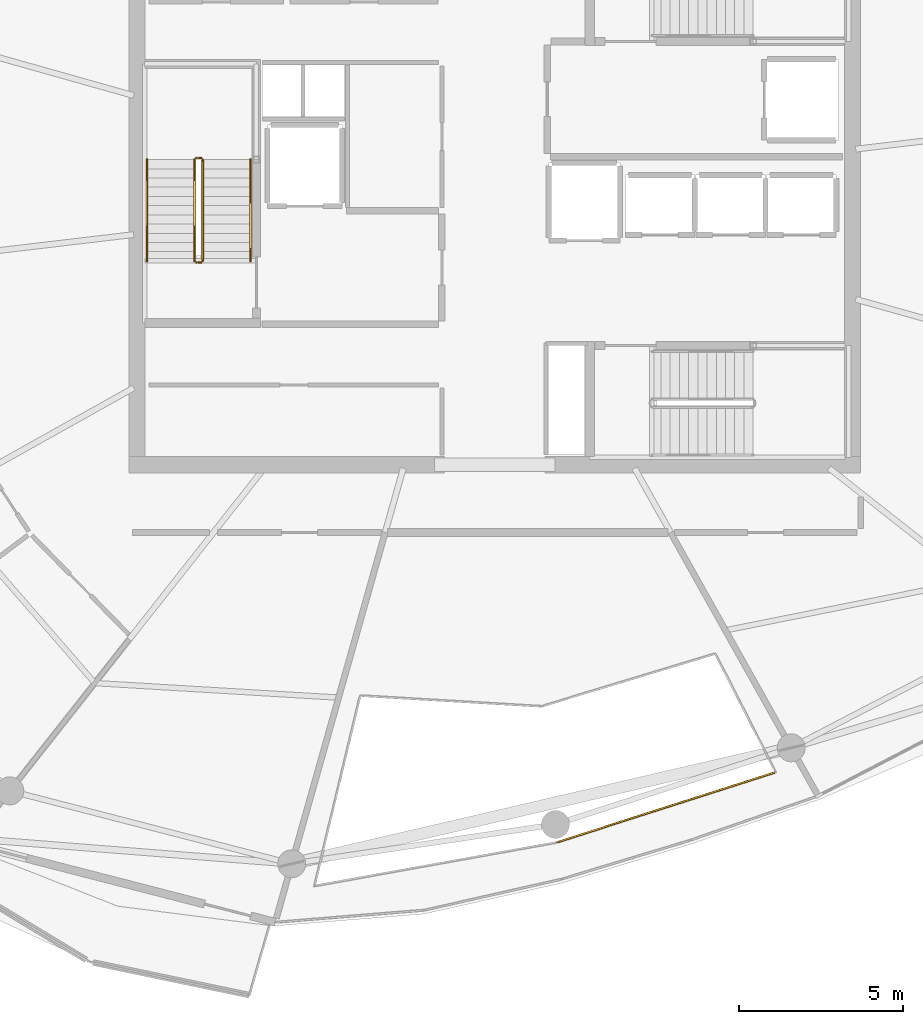
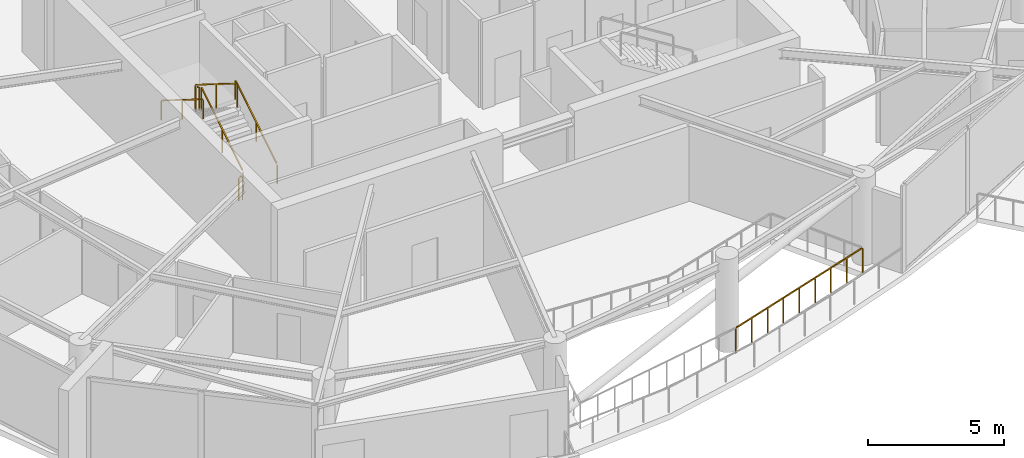
# One storey, part 19 of 22: 7 railings.
"""IFC4 building model written with IfcOpenShell, lengths in metres."""

import ifcopenshell
import ifcopenshell.guid

model = None  # the IFC model being written
_history = None  # IfcOwnerHistory: only IFC2X3 demands one
_inside = {}  # id of a spatial element -> (the spatial element, [elements in it])
_under = {}  # id of a project, library or spatial element -> (it, [spatial elements below it])
_declared = {}  # id of a project -> (the project, [libraries it declares])
_typed = {}  # id of a type object -> (the type object, [elements of that type])
_made_of = {}  # id of a material, layer set ... -> (it, [elements and type objects made of it])


def new_model(schema):
    """Start an empty IFC model of exactly this schema.

    Asked for "IFC4X3", IfcOpenShell would pick the latest addendum, in which some entities
    have other attributes; the version numbers below select the first issue.
    IFC2X3 requires an IfcOwnerHistory on every rooted entity: one is made here for all.
    """
    global model, _history
    if schema == "IFC4X3":
        model = ifcopenshell.file(schema_version=(4, 3, 0, 0))
    else:
        model = ifcopenshell.file(schema=schema)
    _inside.clear()
    _under.clear()
    _declared.clear()
    _typed.clear()
    _made_of.clear()
    _history = None
    if model.schema == "IFC2X3":
        org = make("IfcOrganization", Name="unknown")
        user = make(
            "IfcPersonAndOrganization",
            ThePerson=make("IfcPerson", FamilyName="unknown"),
            TheOrganization=org,
        )
        app = make(
            "IfcApplication",
            ApplicationDeveloper=org,
            Version="unknown",
            ApplicationFullName="unknown",
            ApplicationIdentifier="unknown",
        )
        _history = make(
            "IfcOwnerHistory",
            OwningUser=user,
            OwningApplication=app,
            ChangeAction="ADDED",
            CreationDate=0,
        )
    return model


def make(cls, **values):
    """One entity of the class cls with the attributes given. An attribute that is None is left unset."""
    return model.create_entity(
        cls, **{name: value for name, value in values.items() if value is not None}
    )


def rooted(cls, **values):
    """An entity with a GlobalId (a new one), such as an element, a storey or a relation."""
    return make(cls, GlobalId=ifcopenshell.guid.new(), OwnerHistory=_history, **values)


def si_unit(unit_type, name, prefix=None):
    """IfcSIUnit, for example si_unit("LENGTHUNIT", "METRE", prefix="MILLI")."""
    return make("IfcSIUnit", UnitType=unit_type, Prefix=prefix, Name=name)


def assignment(units):
    """IfcUnitAssignment: the units of a project."""
    return None if units is None else make("IfcUnitAssignment", Units=units)


def point(xyz):
    """IfcCartesianPoint."""
    return None if xyz is None else make("IfcCartesianPoint", Coordinates=xyz)


def direction(xyz):
    """IfcDirection."""
    return None if xyz is None else make("IfcDirection", DirectionRatios=xyz)


def frame(location, z_axis=None, x_axis=None):
    """IfcAxis2Placement3D, a coordinate frame: its origin and axes. An axis left out is left unset."""
    return make(
        "IfcAxis2Placement3D",
        Location=point(location),
        Axis=direction(z_axis),
        RefDirection=direction(x_axis),
    )


def frame_2d(location, x_axis=None):
    """IfcAxis2Placement2D, a coordinate frame in the plane: its origin and x axis."""
    return make(
        "IfcAxis2Placement2D", Location=point(location), RefDirection=direction(x_axis)
    )


def origin():
    """The frame at (0, 0, 0) with its axes left unset."""
    return frame((0.0, 0.0, 0.0))


def origin_2d():
    """The frame at (0, 0) in the plane with its x axis left unset."""
    return frame_2d((0.0, 0.0))


def place(relative_to, where):
    """IfcLocalPlacement: puts the frame where relative to a parent placement (None: the world)."""
    return make(
        "IfcLocalPlacement", PlacementRelTo=relative_to, RelativePlacement=where
    )


def context(
    kind, dimensions, precision=None, world=None, true_north=None, identifier=None
):
    """IfcGeometricRepresentationContext, for example the 3D "Model" context."""
    return make(
        "IfcGeometricRepresentationContext",
        ContextIdentifier=identifier,
        ContextType=kind,
        CoordinateSpaceDimension=dimensions,
        Precision=precision,
        WorldCoordinateSystem=world,
        TrueNorth=true_north,
    )


def subcontext(parent, identifier, kind, view, scale=None):
    """IfcGeometricRepresentationSubContext, for example "Body" below "Model"."""
    return make(
        "IfcGeometricRepresentationSubContext",
        ContextIdentifier=identifier,
        ContextType=kind,
        ParentContext=parent,
        TargetScale=scale,
        TargetView=view,
    )


def project(units=None, contexts=None):
    """IfcProject with its units and contexts."""
    return rooted(
        "IfcProject",
        Name="project",
        RepresentationContexts=contexts,
        UnitsInContext=assignment(units),
    )


def spatial(cls, under=None, at=None, **own):
    """A site, building, storey or space (cls), placed at a placement, below another one or the project."""
    s = rooted(cls, ObjectPlacement=at, **own)
    if under is not None:
        _under.setdefault(under.id(), (under, []))[1].append(s)
    return s


def profile(cls, at=None, kind="AREA", **sizes):
    """A parametric profile (cls). Its sizes go by their IFC names, for example OverallWidth=200.0."""
    return make(cls, ProfileType=kind, Position=at, **sizes)


def rectangle(**sizes):
    """IfcRectangleProfileDef."""
    return profile("IfcRectangleProfileDef", **sizes)


def extrude(swept, where, along, depth):
    """IfcExtrudedAreaSolid: the profile swept, set in the frame where, extruded along a direction by depth."""
    return make(
        "IfcExtrudedAreaSolid",
        SweptArea=swept,
        Position=where,
        ExtrudedDirection=direction(along),
        Depth=depth,
    )


def shape(context_of_items, identifier, shape_type, items):
    """IfcShapeRepresentation: the items that make up one representation, for example the "Body"."""
    return make(
        "IfcShapeRepresentation",
        ContextOfItems=context_of_items,
        RepresentationIdentifier=identifier,
        RepresentationType=shape_type,
        Items=items,
    )


def material(Name=None, Category=None):
    """IfcMaterial."""
    return make("IfcMaterial", Name=Name, Category=Category)


def made_of(thing, what):
    """Note that an element or type object is made of a material, layer set ...; save() writes the relation."""
    if what is not None:
        _made_of.setdefault(what.id(), (what, []))[1].append(thing)
    return thing


def type_object(cls, material=None, **own):
    """A type object (cls), such as IfcWallType, which elements share."""
    return made_of(rooted(cls, **own), material)


def element(
    cls,
    number,
    at=None,
    inside=None,
    cuts=None,
    type_object=None,
    material=None,
    context=None,
    identifier="Body",
    shape_type=None,
    held_by="IfcProductDefinitionShape",
    body=None,
    shapes=None,
    **own,
):
    """One element of the class cls, such as IfcWall. Its Tag is "e" and its number.

    at: its placement. inside: the storey or other place that contains it. cuts: it is an
    opening in that element (IfcRelVoidsElement). A single representation is given by context,
    identifier, shape_type and body (its items); several are given by shapes. held_by: the class
    of the entity that holds the representations. save() writes the other relations.
    """
    e = rooted(cls, Tag="e%d" % number, ObjectPlacement=at, **own)
    if body is not None:
        shapes = [shape(context, identifier, shape_type, body)]
    if shapes is not None:
        e.Representation = make(held_by, Representations=shapes)
    if inside is not None:
        _inside.setdefault(inside.id(), (inside, []))[1].append(e)
    if cuts is not None:
        rooted(
            "IfcRelVoidsElement", RelatingBuildingElement=cuts, RelatedOpeningElement=e
        )
    if type_object is not None:
        _typed.setdefault(type_object.id(), (type_object, []))[1].append(e)
    return made_of(e, material)


def aggregate(whole, parts):
    """IfcRelAggregates: a whole, such as a stair, and the parts it consists of."""
    return rooted("IfcRelAggregates", RelatingObject=whole, RelatedObjects=parts)


def save(model, path):
    """Write the relations noted so far, then the file.

    IfcRelAggregates (storeys below a building ...), IfcRelContainedInSpatialStructure (elements
    in a storey), IfcRelDefinesByType, IfcRelAssociatesMaterial and IfcRelDeclares: one each for
    every whole, place, type object, material and project.
    """
    for whole, parts in _under.values():
        aggregate(whole, parts)
    for where, things in _inside.values():
        rooted(
            "IfcRelContainedInSpatialStructure",
            RelatedElements=things,
            RelatingStructure=where,
        )
    for kind, things in _typed.values():
        rooted("IfcRelDefinesByType", RelatedObjects=things, RelatingType=kind)
    for what, things in _made_of.values():
        rooted("IfcRelAssociatesMaterial", RelatedObjects=things, RelatingMaterial=what)
    for by, libraries in _declared.values():
        rooted("IfcRelDeclares", RelatingContext=by, RelatedDefinitions=libraries)
    model.write(path)


model = new_model("IFC4")

# Units and contexts
model_context = context("Model", 3, precision=1e-05, world=origin(), true_north=direction((0.0, 1.0)))
body_context = subcontext(model_context, "Body", "Model", "MODEL_VIEW")
ifc_project = project(units=[si_unit("LENGTHUNIT", "METRE"), si_unit("AREAUNIT", "SQUARE_METRE"), si_unit("VOLUMEUNIT", "CUBIC_METRE"), si_unit("PLANEANGLEUNIT", "RADIAN"), si_unit("MASSUNIT", "GRAM", prefix="KILO")], contexts=[model_context])

# Site, building, storey
site_placement = place(None, origin())
site = spatial("IfcSite", under=ifc_project, at=site_placement, CompositionType="ELEMENT")
building_placement = place(site_placement, origin())
building = spatial("IfcBuilding", under=site, at=building_placement, Name="Kazma Halo Residences", CompositionType="ELEMENT")
storey_placement = place(building_placement, frame((0.0, 0.0, 326.300048828125)))
storey = spatial("IfcBuildingStorey", under=building, at=storey_placement, Name="L82", CompositionType="ELEMENT", Elevation=326.300048828125)

# Railings
ifc_material_1 = material(Name="Brushed Stainless Steel and Laminated Glass", Category="steel")
railing_type_1 = type_object("IfcRailingType", Name="RLG-EXT-GUARD-1150", PredefinedType="GUARDRAIL", material=ifc_material_1)
railing_1_placement = place(storey_placement, frame((56.963623046875, 24.407958984375, 0.0)))
element("IfcRailing", 1, at=railing_1_placement, inside=storey, type_object=railing_type_1, Name="L82 upper wind-portal edge guard 2.4", PredefinedType="GUARDRAIL", context=body_context, shape_type="SweptSolid", body=[
    extrude(rectangle(XDim=0.050048828125, YDim=0.050048828125, at=origin_2d()), frame((-0.04052734375, -0.012939453125, 1.125), z_axis=(-0.952165276882, -0.305583516407, 0.0), x_axis=(0.305583516407, -0.952165276882, 0.0)), (0.0, 0.0, 1.0), 6.877685546875),
    extrude(rectangle(XDim=0.0400390625, YDim=0.0400390625, at=origin_2d()), origin(), (0.0, 0.0, 1.0), 1.087890625),
    extrude(rectangle(XDim=0.0400390625, YDim=0.0400390625, at=origin_2d()), frame((-0.82861328125, -0.265869140625, 0.0)), (0.0, 0.0, 1.0), 1.087890625),
    extrude(rectangle(XDim=0.0400390625, YDim=0.0400390625, at=origin_2d()), frame((-1.657470703125, -0.531982421875, 0.0)), (0.0, 0.0, 1.0), 1.087890625),
    extrude(rectangle(XDim=0.0400390625, YDim=0.0400390625, at=origin_2d()), frame((-2.486083984375, -0.7978515625, 0.0)), (0.0, 0.0, 1.0), 1.087890625),
    extrude(rectangle(XDim=0.0400390625, YDim=0.0400390625, at=origin_2d()), frame((-3.31494140625, -1.06396484375, 0.0)), (0.0, 0.0, 1.0), 1.087890625),
    extrude(rectangle(XDim=0.0400390625, YDim=0.0400390625, at=origin_2d()), frame((-4.1435546875, -1.329833984375, 0.0)), (0.0, 0.0, 1.0), 1.087890625),
    extrude(rectangle(XDim=0.0400390625, YDim=0.0400390625, at=origin_2d()), frame((-4.97216796875, -1.595703125, 0.0)), (0.0, 0.0, 1.0), 1.087890625),
    extrude(rectangle(XDim=0.0400390625, YDim=0.0400390625, at=origin_2d()), frame((-5.801025390625, -1.86181640625, 0.0)), (0.0, 0.0, 1.0), 1.087890625),
    extrude(rectangle(XDim=0.0400390625, YDim=0.0400390625, at=origin_2d()), frame((-6.629638671875, -2.127685546875, 0.0)), (0.0, 0.0, 1.0), 1.087890625),
])
ifc_material_2 = material(Name="Painted Steel S355", Category="steel")
railing_type_2 = type_object("IfcRailingType", Name="RLG-STAIR-GRD-1100", PredefinedType="GUARDRAIL", material=ifc_material_2)
railing_2_placement = place(storey_placement, frame((39.550048828125, 39.949951171875, 0.175048828125)))
element("IfcRailing", 2, at=railing_2_placement, inside=storey, type_object=railing_type_2, Name="L82 ST-01 stair guard 1", PredefinedType="GUARDRAIL", context=body_context, shape_type="SweptSolid", body=[
    extrude(rectangle(XDim=0.050048828125, YDim=0.050048828125, at=origin_2d()), frame((0.0, 0.0361328125, 1.09765625), z_axis=(0.0, 0.848028513186, 0.529950602248), x_axis=(-1.0, 0.0, 0.0)), (0.0, 0.0, 1.0), 3.546875),
    extrude(rectangle(XDim=0.0400390625, YDim=0.0400390625, at=origin_2d()), origin(), (0.0, 0.0, 1.0), 1.0380859375),
    extrude(rectangle(XDim=0.0400390625, YDim=0.0400390625, at=origin_2d()), frame((0.0, 1.5400390625, 0.96240234375)), (0.0, 0.0, 1.0), 1.0380859375),
    extrude(rectangle(XDim=0.0400390625, YDim=0.0400390625, at=origin_2d()), frame((0.0, 3.080078125, 1.9248046875)), (0.0, 0.0, 1.0), 1.0380859375),
])
railing_3_placement = place(storey_placement, frame((39.5, 43.080078125, 2.099853515625)))
element("IfcRailing", 3, at=railing_3_placement, inside=storey, type_object=railing_type_2, Name="L82 ST-01 stair guard 2", PredefinedType="GUARDRAIL", context=body_context, shape_type="SweptSolid", body=[
    extrude(rectangle(XDim=0.050048828125, YDim=0.050048828125, at=origin_2d()), frame((-0.04248046875, 0.0, 1.0751953125), z_axis=(-1.0, 0.0, 0.0), x_axis=(0.0, -1.0, 0.0)), (0.0, 0.0, 1.0), 0.06494140625),
    extrude(rectangle(XDim=0.0400390625, YDim=0.0400390625, at=origin_2d()), origin(), (0.0, 0.0, 1.0), 1.0380859375),
    extrude(rectangle(XDim=0.0400390625, YDim=0.0400390625, at=origin_2d()), frame((-0.14990234375, 0.0, 0.0)), (0.0, 0.0, 1.0), 1.0380859375),
])
railing_4_placement = place(storey_placement, frame((39.300048828125, 43.030029296875, 2.27490234375)))
element("IfcRailing", 4, at=railing_4_placement, inside=storey, type_object=railing_type_2, Name="L82 ST-01 stair guard 3", PredefinedType="GUARDRAIL", context=body_context, shape_type="SweptSolid", body=[
    extrude(rectangle(XDim=0.050048828125, YDim=0.050048828125, at=origin_2d()), frame((0.0, -0.0361328125, 1.09765625), z_axis=(0.0, -0.847998304005, 0.529998940003), x_axis=(1.0, 0.0, 0.0)), (0.0, 0.0, 1.0), 3.547119140625),
    extrude(rectangle(XDim=0.0400390625, YDim=0.0400390625, at=origin_2d()), origin(), (0.0, 0.0, 1.0), 1.0380859375),
    extrude(rectangle(XDim=0.0400390625, YDim=0.0400390625, at=origin_2d()), frame((0.0, -1.5400390625, 0.96240234375)), (0.0, 0.0, 1.0), 1.0380859375),
    extrude(rectangle(XDim=0.0400390625, YDim=0.0400390625, at=origin_2d()), frame((0.0, -3.080078125, 1.925048828125)), (0.0, 0.0, 1.0), 1.0380859375),
])
railing_5_placement = place(storey_placement, frame((39.5, 39.89990234375, 0.0)))
element("IfcRailing", 5, at=railing_5_placement, inside=storey, type_object=railing_type_2, Name="L82 ST-01 stair guard 4", PredefinedType="GUARDRAIL", context=body_context, shape_type="SweptSolid", body=[
    extrude(rectangle(XDim=0.050048828125, YDim=0.050048828125, at=origin_2d()), frame((-0.04248046875, 0.0, 1.0751953125), z_axis=(-1.0, 0.0, 0.0), x_axis=(0.0, -1.0, 0.0)), (0.0, 0.0, 1.0), 0.06494140625),
    extrude(rectangle(XDim=0.0400390625, YDim=0.0400390625, at=origin_2d()), origin(), (0.0, 0.0, 1.0), 1.0380859375),
    extrude(rectangle(XDim=0.0400390625, YDim=0.0400390625, at=origin_2d()), frame((-0.14990234375, 0.0, 0.0)), (0.0, 0.0, 1.0), 1.0380859375),
])
ifc_material_3 = material(Name="Brushed Stainless Steel", Category="steel")
railing_type_3 = type_object("IfcRailingType", Name="RLG-STAIR-HND-900", PredefinedType="HANDRAIL", material=ifc_material_3)
railing_6_placement = place(storey_placement, frame((41.0, 39.949951171875, 0.175048828125)))
element("IfcRailing", 6, at=railing_6_placement, inside=storey, type_object=railing_type_3, Name="L82 ST-01 stair handrail 1", PredefinedType="HANDRAIL", context=body_context, shape_type="SweptSolid", body=[
    extrude(rectangle(XDim=0.050048828125, YDim=0.050048828125, at=origin_2d()), frame((0.0, 0.0361328125, 0.8974609375), z_axis=(0.0, 0.848028513186, 0.529950602248), x_axis=(-1.0, 0.0, 0.0)), (0.0, 0.0, 1.0), 3.546875),
    extrude(rectangle(XDim=0.0400390625, YDim=0.0400390625, at=origin_2d()), origin(), (0.0, 0.0, 1.0), 0.837890625),
    extrude(rectangle(XDim=0.0400390625, YDim=0.0400390625, at=origin_2d()), frame((0.0, 1.5400390625, 0.96240234375)), (0.0, 0.0, 1.0), 0.837890625),
    extrude(rectangle(XDim=0.0400390625, YDim=0.0400390625, at=origin_2d()), frame((0.0, 3.080078125, 1.9248046875)), (0.0, 0.0, 1.0), 0.837890625),
])
railing_7_placement = place(storey_placement, frame((37.85009765625, 43.030029296875, 2.27490234375)))
element("IfcRailing", 7, at=railing_7_placement, inside=storey, type_object=railing_type_3, Name="L82 ST-01 stair handrail 2", PredefinedType="HANDRAIL", context=body_context, shape_type="SweptSolid", body=[
    extrude(rectangle(XDim=0.050048828125, YDim=0.050048828125, at=origin_2d()), frame((0.0, -0.0361328125, 0.8974609375), z_axis=(0.0, -0.847998304005, 0.529998940003), x_axis=(1.0, 0.0, 0.0)), (0.0, 0.0, 1.0), 3.547119140625),
    extrude(rectangle(XDim=0.0400390625, YDim=0.0400390625, at=origin_2d()), origin(), (0.0, 0.0, 1.0), 0.837890625),
    extrude(rectangle(XDim=0.0400390625, YDim=0.0400390625, at=origin_2d()), frame((0.0, -1.5400390625, 0.96240234375)), (0.0, 0.0, 1.0), 0.837890625),
    extrude(rectangle(XDim=0.0400390625, YDim=0.0400390625, at=origin_2d()), frame((0.0, -3.080078125, 1.925048828125)), (0.0, 0.0, 1.0), 0.837890625),
])

save(model, "model.ifc")
